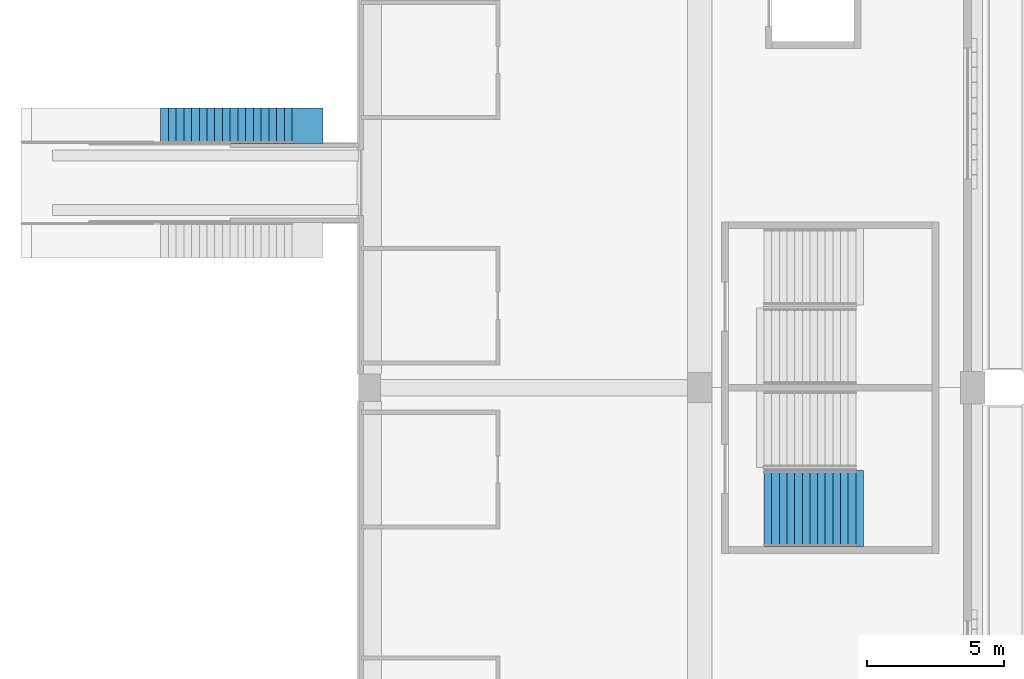
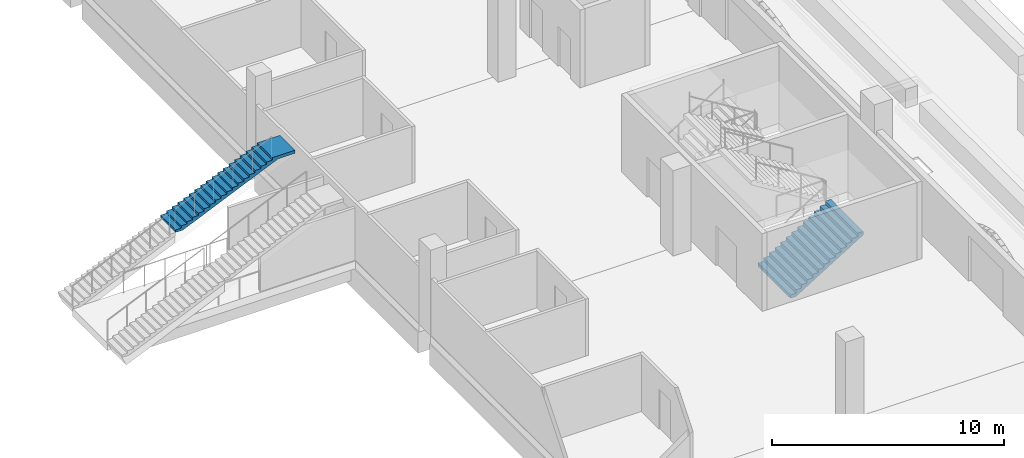
# One storey, part 99 of 175: 2 stair flights, 2 elements without a shape of their own.
"""IFC4 building model written with IfcOpenShell, lengths in metres."""

from ifc_helpers import new_model, si_unit, direction, frame, origin, place, context, subcontext, project, spatial, faceted_brep, material, type_object, element, aggregate, save


model = new_model("IFC4")

# Units and contexts
model_context = context("Model", 3, precision=1e-05, world=origin(), true_north=direction((0.0, 1.0)))
body_context = subcontext(model_context, "Body", "Model", "MODEL_VIEW")
ifc_project = project(units=[si_unit("LENGTHUNIT", "METRE"), si_unit("AREAUNIT", "SQUARE_METRE"), si_unit("VOLUMEUNIT", "CUBIC_METRE"), si_unit("PLANEANGLEUNIT", "RADIAN"), si_unit("MASSUNIT", "GRAM", prefix="KILO")], contexts=[model_context])

# Site, building, storey
site_placement = place(None, origin())
site = spatial("IfcSite", under=ifc_project, at=site_placement, CompositionType="ELEMENT")
building_placement = place(site_placement, origin())
building = spatial("IfcBuilding", under=site, at=building_placement, Name="Ogive Plaza Stadium", CompositionType="ELEMENT")
storey_placement = place(building_placement, origin())
storey = spatial("IfcBuildingStorey", under=building, at=storey_placement, Name="L00", CompositionType="ELEMENT", Elevation=0.0)

# Stair, stair flight
ifc_material_1 = material(Name="Concrete C40/50", Category="concrete")
stair_type_1 = type_object("IfcStairType", Name="Aisle stair", PredefinedType="STRAIGHT_RUN_STAIR", material=ifc_material_1)
stair_1_placement = place(storey_placement, origin())
stair_1 = element("IfcStair", 1, at=stair_1_placement, inside=storey, type_object=stair_type_1, Name="Aisle stair SA05R", PredefinedType="STRAIGHT_RUN_STAIR")
ifc_material_2 = material(Name="Concrete C40/50", Category="concrete")
stair_flight_type_1 = type_object("IfcStairFlightType", Name="Aisle stair flight", PredefinedType="STRAIGHT", material=ifc_material_2)
stair_flight_1_placement = place(storey_placement, frame((54.25, -12.89990234375, 2.25), z_axis=(0.0, 0.0, 1.0), x_axis=(1.0, 0.0, 0.0)))
stair_flight_1 = element("IfcStairFlight", 2, at=stair_flight_1_placement, type_object=stair_flight_type_1, Name="SA05R flight 2", NumberOfRisers=18, NumberOfTreads=17, PredefinedType="STRAIGHT", RiserHeight=0.125, TreadLength=0.283333333, context=body_context, shape_type="Brep", body=[
    faceted_brep([(0.371337890625, -0.64990234375, 0.0), (5.10009765625, -0.64990234375, 2.086181640625), (5.949951171875, -0.64990234375, 2.086181640625), (5.949951171875, -0.64990234375, 2.25), (4.816650390625, -0.64990234375, 2.25), (4.816650390625, -0.64990234375, 2.125), (4.533447265625, -0.64990234375, 2.125), (4.533447265625, -0.64990234375, 2.0), (4.25, -0.64990234375, 2.0), (4.25, -0.64990234375, 1.875), (3.966552734375, -0.64990234375, 1.875), (3.966552734375, -0.64990234375, 1.75), (3.683349609375, -0.64990234375, 1.75), (3.683349609375, -0.64990234375, 1.625), (3.39990234375, -0.64990234375, 1.625), (3.39990234375, -0.64990234375, 1.5), (3.11669921875, -0.64990234375, 1.5), (3.11669921875, -0.64990234375, 1.375), (2.833251953125, -0.64990234375, 1.375), (2.833251953125, -0.64990234375, 1.25), (2.550048828125, -0.64990234375, 1.25), (2.550048828125, -0.64990234375, 1.125), (2.2666015625, -0.64990234375, 1.125), (2.2666015625, -0.64990234375, 1.0), (1.9833984375, -0.64990234375, 1.0), (1.9833984375, -0.64990234375, 0.875), (1.699951171875, -0.64990234375, 0.875), (1.699951171875, -0.64990234375, 0.75), (1.416748046875, -0.64990234375, 0.75), (1.416748046875, -0.64990234375, 0.625), (1.13330078125, -0.64990234375, 0.625), (1.13330078125, -0.64990234375, 0.5), (0.85009765625, -0.64990234375, 0.5), (0.85009765625, -0.64990234375, 0.375), (0.566650390625, -0.64990234375, 0.375), (0.566650390625, -0.64990234375, 0.25), (0.283447265625, -0.64990234375, 0.25), (0.283447265625, -0.64990234375, 0.125), (0.0, -0.64990234375, 0.125), (0.0, -0.64990234375, 0.0), (0.0, 0.64990234375, 0.0), (0.0, 0.64990234375, 0.125), (0.283447265625, 0.64990234375, 0.125), (0.283447265625, 0.64990234375, 0.25), (0.566650390625, 0.64990234375, 0.25), (0.566650390625, 0.64990234375, 0.375), (0.85009765625, 0.64990234375, 0.375), (0.85009765625, 0.64990234375, 0.5), (1.13330078125, 0.64990234375, 0.5), (1.13330078125, 0.64990234375, 0.625), (1.416748046875, 0.64990234375, 0.625), (1.416748046875, 0.64990234375, 0.75), (1.699951171875, 0.64990234375, 0.75), (1.699951171875, 0.64990234375, 0.875), (1.9833984375, 0.64990234375, 0.875), (1.9833984375, 0.64990234375, 1.0), (2.2666015625, 0.64990234375, 1.0), (2.2666015625, 0.64990234375, 1.125), (2.550048828125, 0.64990234375, 1.125), (2.550048828125, 0.64990234375, 1.25), (2.833251953125, 0.64990234375, 1.25), (2.833251953125, 0.64990234375, 1.375), (3.11669921875, 0.64990234375, 1.375), (3.11669921875, 0.64990234375, 1.5), (3.39990234375, 0.64990234375, 1.5), (3.39990234375, 0.64990234375, 1.625), (3.683349609375, 0.64990234375, 1.625), (3.683349609375, 0.64990234375, 1.75), (3.966552734375, 0.64990234375, 1.75), (3.966552734375, 0.64990234375, 1.875), (4.25, 0.64990234375, 1.875), (4.25, 0.64990234375, 2.0), (4.533447265625, 0.64990234375, 2.0), (4.533447265625, 0.64990234375, 2.125), (4.816650390625, 0.64990234375, 2.125), (4.816650390625, 0.64990234375, 2.25), (5.949951171875, 0.64990234375, 2.25), (5.949951171875, 0.64990234375, 2.086181640625), (5.10009765625, 0.64990234375, 2.086181640625), (0.371337890625, 0.64990234375, 0.0), (0.371337890625, -0.324951171875, 0.0), (5.10009765625, -0.324951171875, 2.086181640625), (0.371337890625, 0.0, 0.0), (5.10009765625, 0.0, 2.086181640625), (0.371337890625, 0.324951171875, 0.0), (5.10009765625, 0.324951171875, 2.086181640625), (5.949951171875, -0.324951171875, 2.086181640625), (5.949951171875, 0.0, 2.086181640625), (5.949951171875, 0.324951171875, 2.086181640625), (5.949951171875, -0.324951171875, 2.25), (5.949951171875, 0.0, 2.25), (5.949951171875, 0.324951171875, 2.25), (4.816650390625, -0.324951171875, 2.25), (4.816650390625, 0.0, 2.25), (4.816650390625, 0.324951171875, 2.25), (4.816650390625, -0.324951171875, 2.125), (4.816650390625, 0.0, 2.125), (4.816650390625, 0.324951171875, 2.125), (4.533447265625, -0.324951171875, 2.125), (4.533447265625, 0.0, 2.125), (4.533447265625, 0.324951171875, 2.125), (4.533447265625, -0.324951171875, 2.0), (4.533447265625, 0.0, 2.0), (4.533447265625, 0.324951171875, 2.0), (4.25, -0.324951171875, 2.0), (4.25, 0.0, 2.0), (4.25, 0.324951171875, 2.0), (4.25, -0.324951171875, 1.875), (4.25, 0.0, 1.875), (4.25, 0.324951171875, 1.875), (3.966552734375, -0.324951171875, 1.875), (3.966552734375, 0.0, 1.875), (3.966552734375, 0.324951171875, 1.875), (3.966552734375, -0.324951171875, 1.75), (3.966552734375, 0.0, 1.75), (3.966552734375, 0.324951171875, 1.75), (3.683349609375, -0.324951171875, 1.75), (3.683349609375, 0.0, 1.75), (3.683349609375, 0.324951171875, 1.75), (3.683349609375, -0.324951171875, 1.625), (3.683349609375, 0.0, 1.625), (3.683349609375, 0.324951171875, 1.625), (3.39990234375, -0.324951171875, 1.625), (3.39990234375, 0.0, 1.625), (3.39990234375, 0.324951171875, 1.625), (3.39990234375, -0.324951171875, 1.5), (3.39990234375, 0.0, 1.5), (3.39990234375, 0.324951171875, 1.5), (3.11669921875, -0.324951171875, 1.5), (3.11669921875, 0.0, 1.5), (3.11669921875, 0.324951171875, 1.5), (3.11669921875, -0.324951171875, 1.375), (3.11669921875, 0.0, 1.375), (3.11669921875, 0.324951171875, 1.375), (2.833251953125, -0.324951171875, 1.375), (2.833251953125, 0.0, 1.375), (2.833251953125, 0.324951171875, 1.375), (2.833251953125, -0.324951171875, 1.25), (2.833251953125, 0.0, 1.25), (2.833251953125, 0.324951171875, 1.25), (2.550048828125, -0.324951171875, 1.25), (2.550048828125, 0.0, 1.25), (2.550048828125, 0.324951171875, 1.25), (2.550048828125, -0.324951171875, 1.125), (2.550048828125, 0.0, 1.125), (2.550048828125, 0.324951171875, 1.125), (2.2666015625, -0.324951171875, 1.125), (2.2666015625, 0.0, 1.125), (2.2666015625, 0.324951171875, 1.125), (2.2666015625, -0.324951171875, 1.0), (2.2666015625, 0.0, 1.0), (2.2666015625, 0.324951171875, 1.0), (1.9833984375, -0.324951171875, 1.0), (1.9833984375, 0.0, 1.0), (1.9833984375, 0.324951171875, 1.0), (1.9833984375, -0.324951171875, 0.875), (1.9833984375, 0.0, 0.875), (1.9833984375, 0.324951171875, 0.875), (1.699951171875, -0.324951171875, 0.875), (1.699951171875, 0.0, 0.875), (1.699951171875, 0.324951171875, 0.875), (1.699951171875, -0.324951171875, 0.75), (1.699951171875, 0.0, 0.75), (1.699951171875, 0.324951171875, 0.75), (1.416748046875, -0.324951171875, 0.75), (1.416748046875, 0.0, 0.75), (1.416748046875, 0.324951171875, 0.75), (1.416748046875, -0.324951171875, 0.625), (1.416748046875, 0.0, 0.625), (1.416748046875, 0.324951171875, 0.625), (1.13330078125, -0.324951171875, 0.625), (1.13330078125, 0.0, 0.625), (1.13330078125, 0.324951171875, 0.625), (1.13330078125, -0.324951171875, 0.5), (1.13330078125, 0.0, 0.5), (1.13330078125, 0.324951171875, 0.5), (0.85009765625, -0.324951171875, 0.5), (0.85009765625, 0.0, 0.5), (0.85009765625, 0.324951171875, 0.5), (0.85009765625, -0.324951171875, 0.375), (0.85009765625, 0.0, 0.375), (0.85009765625, 0.324951171875, 0.375), (0.566650390625, -0.324951171875, 0.375), (0.566650390625, 0.0, 0.375), (0.566650390625, 0.324951171875, 0.375), (0.566650390625, -0.324951171875, 0.25), (0.566650390625, 0.0, 0.25), (0.566650390625, 0.324951171875, 0.25), (0.283447265625, -0.324951171875, 0.25), (0.283447265625, 0.0, 0.25), (0.283447265625, 0.324951171875, 0.25), (0.283447265625, -0.324951171875, 0.125), (0.283447265625, 0.0, 0.125), (0.283447265625, 0.324951171875, 0.125), (0.0, -0.324951171875, 0.125), (0.0, 0.0, 0.125), (0.0, 0.324951171875, 0.125), (0.0, -0.324951171875, 0.0), (0.0, 0.0, 0.0), (0.0, 0.324951171875, 0.0)], [[[0, 1, 2, 3, 4, 5, 6, 7, 8, 9, 10, 11, 12, 13, 14, 15, 16, 17, 18, 19, 20, 21, 22, 23, 24, 25, 26, 27, 28, 29, 30, 31, 32, 33, 34, 35, 36, 37, 38, 39]], [[40, 41, 42, 43, 44, 45, 46, 47, 48, 49, 50, 51, 52, 53, 54, 55, 56, 57, 58, 59, 60, 61, 62, 63, 64, 65, 66, 67, 68, 69, 70, 71, 72, 73, 74, 75, 76, 77, 78, 79]], [[0, 80, 81, 1]], [[80, 82, 83, 81]], [[82, 84, 85, 83]], [[84, 79, 78, 85]], [[1, 81, 86, 2]], [[81, 83, 87, 86]], [[83, 85, 88, 87]], [[85, 78, 77, 88]], [[2, 86, 89, 3]], [[86, 87, 90, 89]], [[87, 88, 91, 90]], [[88, 77, 76, 91]], [[3, 89, 92, 4]], [[89, 90, 93, 92]], [[90, 91, 94, 93]], [[91, 76, 75, 94]], [[4, 92, 95, 5]], [[92, 93, 96, 95]], [[93, 94, 97, 96]], [[94, 75, 74, 97]], [[5, 95, 98, 6]], [[95, 96, 99, 98]], [[96, 97, 100, 99]], [[97, 74, 73, 100]], [[6, 98, 101, 7]], [[98, 99, 102, 101]], [[99, 100, 103, 102]], [[100, 73, 72, 103]], [[7, 101, 104, 8]], [[101, 102, 105, 104]], [[102, 103, 106, 105]], [[103, 72, 71, 106]], [[8, 104, 107, 9]], [[104, 105, 108, 107]], [[105, 106, 109, 108]], [[106, 71, 70, 109]], [[9, 107, 110, 10]], [[107, 108, 111, 110]], [[108, 109, 112, 111]], [[109, 70, 69, 112]], [[10, 110, 113, 11]], [[110, 111, 114, 113]], [[111, 112, 115, 114]], [[112, 69, 68, 115]], [[11, 113, 116, 12]], [[113, 114, 117, 116]], [[114, 115, 118, 117]], [[115, 68, 67, 118]], [[12, 116, 119, 13]], [[116, 117, 120, 119]], [[117, 118, 121, 120]], [[118, 67, 66, 121]], [[13, 119, 122, 14]], [[119, 120, 123, 122]], [[120, 121, 124, 123]], [[121, 66, 65, 124]], [[14, 122, 125, 15]], [[122, 123, 126, 125]], [[123, 124, 127, 126]], [[124, 65, 64, 127]], [[15, 125, 128, 16]], [[125, 126, 129, 128]], [[126, 127, 130, 129]], [[127, 64, 63, 130]], [[16, 128, 131, 17]], [[128, 129, 132, 131]], [[129, 130, 133, 132]], [[130, 63, 62, 133]], [[17, 131, 134, 18]], [[131, 132, 135, 134]], [[132, 133, 136, 135]], [[133, 62, 61, 136]], [[18, 134, 137, 19]], [[134, 135, 138, 137]], [[135, 136, 139, 138]], [[136, 61, 60, 139]], [[19, 137, 140, 20]], [[137, 138, 141, 140]], [[138, 139, 142, 141]], [[139, 60, 59, 142]], [[20, 140, 143, 21]], [[140, 141, 144, 143]], [[141, 142, 145, 144]], [[142, 59, 58, 145]], [[21, 143, 146, 22]], [[143, 144, 147, 146]], [[144, 145, 148, 147]], [[145, 58, 57, 148]], [[22, 146, 149, 23]], [[146, 147, 150, 149]], [[147, 148, 151, 150]], [[148, 57, 56, 151]], [[23, 149, 152, 24]], [[149, 150, 153, 152]], [[150, 151, 154, 153]], [[151, 56, 55, 154]], [[24, 152, 155, 25]], [[152, 153, 156, 155]], [[153, 154, 157, 156]], [[154, 55, 54, 157]], [[25, 155, 158, 26]], [[155, 156, 159, 158]], [[156, 157, 160, 159]], [[157, 54, 53, 160]], [[26, 158, 161, 27]], [[158, 159, 162, 161]], [[159, 160, 163, 162]], [[160, 53, 52, 163]], [[27, 161, 164, 28]], [[161, 162, 165, 164]], [[162, 163, 166, 165]], [[163, 52, 51, 166]], [[28, 164, 167, 29]], [[164, 165, 168, 167]], [[165, 166, 169, 168]], [[166, 51, 50, 169]], [[29, 167, 170, 30]], [[167, 168, 171, 170]], [[168, 169, 172, 171]], [[169, 50, 49, 172]], [[30, 170, 173, 31]], [[170, 171, 174, 173]], [[171, 172, 175, 174]], [[172, 49, 48, 175]], [[31, 173, 176, 32]], [[173, 174, 177, 176]], [[174, 175, 178, 177]], [[175, 48, 47, 178]], [[32, 176, 179, 33]], [[176, 177, 180, 179]], [[177, 178, 181, 180]], [[178, 47, 46, 181]], [[33, 179, 182, 34]], [[179, 180, 183, 182]], [[180, 181, 184, 183]], [[181, 46, 45, 184]], [[34, 182, 185, 35]], [[182, 183, 186, 185]], [[183, 184, 187, 186]], [[184, 45, 44, 187]], [[35, 185, 188, 36]], [[185, 186, 189, 188]], [[186, 187, 190, 189]], [[187, 44, 43, 190]], [[36, 188, 191, 37]], [[188, 189, 192, 191]], [[189, 190, 193, 192]], [[190, 43, 42, 193]], [[37, 191, 194, 38]], [[191, 192, 195, 194]], [[192, 193, 196, 195]], [[193, 42, 41, 196]], [[38, 194, 197, 39]], [[194, 195, 198, 197]], [[195, 196, 199, 198]], [[196, 41, 40, 199]], [[39, 197, 80, 0]], [[197, 198, 82, 80]], [[198, 199, 84, 82]], [[199, 40, 79, 84]]]),
])
aggregate(stair_1, [stair_flight_1])

ifc_material_3 = material(Name="Concrete C40/50", Category="concrete")
stair_type_2 = type_object("IfcStairType", Name="Exit stair", PredefinedType="STRAIGHT_RUN_STAIR", material=ifc_material_3)
stair_2_placement = place(storey_placement, origin())
stair_2 = element("IfcStair", 3, at=stair_2_placement, inside=storey, type_object=stair_type_2, Name="Exit stair ST06A L00 to L01", PredefinedType="STRAIGHT_RUN_STAIR")
ifc_material_4 = material(Name="Concrete C40/50", Category="concrete")
stair_flight_type_2 = type_object("IfcStairFlightType", Name="Exit stair flight", PredefinedType="STRAIGHT", material=ifc_material_4)
stair_flight_2_placement = place(storey_placement, frame((76.35009765625, -26.925048828125, 0.0), z_axis=(0.0, 0.0, 1.0), x_axis=(1.0, 0.0, 0.0)))
stair_flight_2 = element("IfcStairFlight", 4, at=stair_flight_2_placement, type_object=stair_flight_type_2, Name="ST06A flight 1", NumberOfRisers=13, NumberOfTreads=12, PredefinedType="STRAIGHT", RiserHeight=0.173076923, TreadLength=0.28, context=body_context, shape_type="Brep", body=[
    faceted_brep([(0.28515625, -1.39990234375, 0.0), (3.639892578125, -1.39990234375, 2.07373046875), (3.639892578125, -1.39990234375, 2.25), (3.360107421875, -1.39990234375, 2.25), (3.360107421875, -1.39990234375, 2.076904296875), (3.080078125, -1.39990234375, 2.076904296875), (3.080078125, -1.39990234375, 1.90380859375), (2.800048828125, -1.39990234375, 1.90380859375), (2.800048828125, -1.39990234375, 1.730712890625), (2.52001953125, -1.39990234375, 1.730712890625), (2.52001953125, -1.39990234375, 1.5576171875), (2.239990234375, -1.39990234375, 1.5576171875), (2.239990234375, -1.39990234375, 1.384521484375), (1.9599609375, -1.39990234375, 1.384521484375), (1.9599609375, -1.39990234375, 1.21142578125), (1.679931640625, -1.39990234375, 1.21142578125), (1.679931640625, -1.39990234375, 1.03857421875), (1.39990234375, -1.39990234375, 1.03857421875), (1.39990234375, -1.39990234375, 0.865478515625), (1.1201171875, -1.39990234375, 0.865478515625), (1.1201171875, -1.39990234375, 0.6923828125), (0.840087890625, -1.39990234375, 0.6923828125), (0.840087890625, -1.39990234375, 0.519287109375), (0.56005859375, -1.39990234375, 0.519287109375), (0.56005859375, -1.39990234375, 0.34619140625), (0.280029296875, -1.39990234375, 0.34619140625), (0.280029296875, -1.39990234375, 0.173095703125), (0.0, -1.39990234375, 0.173095703125), (0.0, -1.39990234375, 0.0), (0.0, 1.39990234375, 0.0), (0.0, 1.39990234375, 0.173095703125), (0.280029296875, 1.39990234375, 0.173095703125), (0.280029296875, 1.39990234375, 0.34619140625), (0.56005859375, 1.39990234375, 0.34619140625), (0.56005859375, 1.39990234375, 0.519287109375), (0.840087890625, 1.39990234375, 0.519287109375), (0.840087890625, 1.39990234375, 0.6923828125), (1.1201171875, 1.39990234375, 0.6923828125), (1.1201171875, 1.39990234375, 0.865478515625), (1.39990234375, 1.39990234375, 0.865478515625), (1.39990234375, 1.39990234375, 1.03857421875), (1.679931640625, 1.39990234375, 1.03857421875), (1.679931640625, 1.39990234375, 1.21142578125), (1.9599609375, 1.39990234375, 1.21142578125), (1.9599609375, 1.39990234375, 1.384521484375), (2.239990234375, 1.39990234375, 1.384521484375), (2.239990234375, 1.39990234375, 1.5576171875), (2.52001953125, 1.39990234375, 1.5576171875), (2.52001953125, 1.39990234375, 1.730712890625), (2.800048828125, 1.39990234375, 1.730712890625), (2.800048828125, 1.39990234375, 1.90380859375), (3.080078125, 1.39990234375, 1.90380859375), (3.080078125, 1.39990234375, 2.076904296875), (3.360107421875, 1.39990234375, 2.076904296875), (3.360107421875, 1.39990234375, 2.25), (3.639892578125, 1.39990234375, 2.25), (3.639892578125, 1.39990234375, 2.07373046875), (0.28515625, 1.39990234375, 0.0), (0.28515625, -1.0888671875, 0.0), (3.639892578125, -1.0888671875, 2.07373046875), (0.28515625, -0.77783203125, 0.0), (3.639892578125, -0.77783203125, 2.07373046875), (0.28515625, -0.466796875, 0.0), (3.639892578125, -0.466796875, 2.07373046875), (0.28515625, -0.155517578125, 0.0), (3.639892578125, -0.155517578125, 2.07373046875), (0.28515625, 0.155517578125, 0.0), (3.639892578125, 0.155517578125, 2.07373046875), (0.28515625, 0.466796875, 0.0), (3.639892578125, 0.466796875, 2.07373046875), (0.28515625, 0.77783203125, 0.0), (3.639892578125, 0.77783203125, 2.07373046875), (0.28515625, 1.0888671875, 0.0), (3.639892578125, 1.0888671875, 2.07373046875), (3.639892578125, -1.0888671875, 2.25), (3.639892578125, -0.77783203125, 2.25), (3.639892578125, -0.466796875, 2.25), (3.639892578125, -0.155517578125, 2.25), (3.639892578125, 0.155517578125, 2.25), (3.639892578125, 0.466796875, 2.25), (3.639892578125, 0.77783203125, 2.25), (3.639892578125, 1.0888671875, 2.25), (3.360107421875, -1.0888671875, 2.25), (3.360107421875, -0.77783203125, 2.25), (3.360107421875, -0.466796875, 2.25), (3.360107421875, -0.155517578125, 2.25), (3.360107421875, 0.155517578125, 2.25), (3.360107421875, 0.466796875, 2.25), (3.360107421875, 0.77783203125, 2.25), (3.360107421875, 1.0888671875, 2.25), (3.360107421875, -1.0888671875, 2.076904296875), (3.360107421875, -0.77783203125, 2.076904296875), (3.360107421875, -0.466796875, 2.076904296875), (3.360107421875, -0.155517578125, 2.076904296875), (3.360107421875, 0.155517578125, 2.076904296875), (3.360107421875, 0.466796875, 2.076904296875), (3.360107421875, 0.77783203125, 2.076904296875), (3.360107421875, 1.0888671875, 2.076904296875), (3.080078125, -1.0888671875, 2.076904296875), (3.080078125, -0.77783203125, 2.076904296875), (3.080078125, -0.466796875, 2.076904296875), (3.080078125, -0.155517578125, 2.076904296875), (3.080078125, 0.155517578125, 2.076904296875), (3.080078125, 0.466796875, 2.076904296875), (3.080078125, 0.77783203125, 2.076904296875), (3.080078125, 1.0888671875, 2.076904296875), (3.080078125, -1.0888671875, 1.90380859375), (3.080078125, -0.77783203125, 1.90380859375), (3.080078125, -0.466796875, 1.90380859375), (3.080078125, -0.155517578125, 1.90380859375), (3.080078125, 0.155517578125, 1.90380859375), (3.080078125, 0.466796875, 1.90380859375), (3.080078125, 0.77783203125, 1.90380859375), (3.080078125, 1.0888671875, 1.90380859375), (2.800048828125, -1.0888671875, 1.90380859375), (2.800048828125, -0.77783203125, 1.90380859375), (2.800048828125, -0.466796875, 1.90380859375), (2.800048828125, -0.155517578125, 1.90380859375), (2.800048828125, 0.155517578125, 1.90380859375), (2.800048828125, 0.466796875, 1.90380859375), (2.800048828125, 0.77783203125, 1.90380859375), (2.800048828125, 1.0888671875, 1.90380859375), (2.800048828125, -1.0888671875, 1.730712890625), (2.800048828125, -0.77783203125, 1.730712890625), (2.800048828125, -0.466796875, 1.730712890625), (2.800048828125, -0.155517578125, 1.730712890625), (2.800048828125, 0.155517578125, 1.730712890625), (2.800048828125, 0.466796875, 1.730712890625), (2.800048828125, 0.77783203125, 1.730712890625), (2.800048828125, 1.0888671875, 1.730712890625), (2.52001953125, -1.0888671875, 1.730712890625), (2.52001953125, -0.77783203125, 1.730712890625), (2.52001953125, -0.466796875, 1.730712890625), (2.52001953125, -0.155517578125, 1.730712890625), (2.52001953125, 0.155517578125, 1.730712890625), (2.52001953125, 0.466796875, 1.730712890625), (2.52001953125, 0.77783203125, 1.730712890625), (2.52001953125, 1.0888671875, 1.730712890625), (2.52001953125, -1.0888671875, 1.5576171875), (2.52001953125, -0.77783203125, 1.5576171875), (2.52001953125, -0.466796875, 1.5576171875), (2.52001953125, -0.155517578125, 1.5576171875), (2.52001953125, 0.155517578125, 1.5576171875), (2.52001953125, 0.466796875, 1.5576171875), (2.52001953125, 0.77783203125, 1.5576171875), (2.52001953125, 1.0888671875, 1.5576171875), (2.239990234375, -1.0888671875, 1.5576171875), (2.239990234375, -0.77783203125, 1.5576171875), (2.239990234375, -0.466796875, 1.5576171875), (2.239990234375, -0.155517578125, 1.5576171875), (2.239990234375, 0.155517578125, 1.5576171875), (2.239990234375, 0.466796875, 1.5576171875), (2.239990234375, 0.77783203125, 1.5576171875), (2.239990234375, 1.0888671875, 1.5576171875), (2.239990234375, -1.0888671875, 1.384521484375), (2.239990234375, -0.77783203125, 1.384521484375), (2.239990234375, -0.466796875, 1.384521484375), (2.239990234375, -0.155517578125, 1.384521484375), (2.239990234375, 0.155517578125, 1.384521484375), (2.239990234375, 0.466796875, 1.384521484375), (2.239990234375, 0.77783203125, 1.384521484375), (2.239990234375, 1.0888671875, 1.384521484375), (1.9599609375, -1.0888671875, 1.384521484375), (1.9599609375, -0.77783203125, 1.384521484375), (1.9599609375, -0.466796875, 1.384521484375), (1.9599609375, -0.155517578125, 1.384521484375), (1.9599609375, 0.155517578125, 1.384521484375), (1.9599609375, 0.466796875, 1.384521484375), (1.9599609375, 0.77783203125, 1.384521484375), (1.9599609375, 1.0888671875, 1.384521484375), (1.9599609375, -1.0888671875, 1.21142578125), (1.9599609375, -0.77783203125, 1.21142578125), (1.9599609375, -0.466796875, 1.21142578125), (1.9599609375, -0.155517578125, 1.21142578125), (1.9599609375, 0.155517578125, 1.21142578125), (1.9599609375, 0.466796875, 1.21142578125), (1.9599609375, 0.77783203125, 1.21142578125), (1.9599609375, 1.0888671875, 1.21142578125), (1.679931640625, -1.0888671875, 1.21142578125), (1.679931640625, -0.77783203125, 1.21142578125), (1.679931640625, -0.466796875, 1.21142578125), (1.679931640625, -0.155517578125, 1.21142578125), (1.679931640625, 0.155517578125, 1.21142578125), (1.679931640625, 0.466796875, 1.21142578125), (1.679931640625, 0.77783203125, 1.21142578125), (1.679931640625, 1.0888671875, 1.21142578125), (1.679931640625, -1.0888671875, 1.03857421875), (1.679931640625, -0.77783203125, 1.03857421875), (1.679931640625, -0.466796875, 1.03857421875), (1.679931640625, -0.155517578125, 1.03857421875), (1.679931640625, 0.155517578125, 1.03857421875), (1.679931640625, 0.466796875, 1.03857421875), (1.679931640625, 0.77783203125, 1.03857421875), (1.679931640625, 1.0888671875, 1.03857421875), (1.39990234375, -1.0888671875, 1.03857421875), (1.39990234375, -0.77783203125, 1.03857421875), (1.39990234375, -0.466796875, 1.03857421875), (1.39990234375, -0.155517578125, 1.03857421875), (1.39990234375, 0.155517578125, 1.03857421875), (1.39990234375, 0.466796875, 1.03857421875), (1.39990234375, 0.77783203125, 1.03857421875), (1.39990234375, 1.0888671875, 1.03857421875), (1.39990234375, -1.0888671875, 0.865478515625), (1.39990234375, -0.77783203125, 0.865478515625), (1.39990234375, -0.466796875, 0.865478515625), (1.39990234375, -0.155517578125, 0.865478515625), (1.39990234375, 0.155517578125, 0.865478515625), (1.39990234375, 0.466796875, 0.865478515625), (1.39990234375, 0.77783203125, 0.865478515625), (1.39990234375, 1.0888671875, 0.865478515625), (1.1201171875, -1.0888671875, 0.865478515625), (1.1201171875, -0.77783203125, 0.865478515625), (1.1201171875, -0.466796875, 0.865478515625), (1.1201171875, -0.155517578125, 0.865478515625), (1.1201171875, 0.155517578125, 0.865478515625), (1.1201171875, 0.466796875, 0.865478515625), (1.1201171875, 0.77783203125, 0.865478515625), (1.1201171875, 1.0888671875, 0.865478515625), (1.1201171875, -1.0888671875, 0.6923828125), (1.1201171875, -0.77783203125, 0.6923828125), (1.1201171875, -0.466796875, 0.6923828125), (1.1201171875, -0.155517578125, 0.6923828125), (1.1201171875, 0.155517578125, 0.6923828125), (1.1201171875, 0.466796875, 0.6923828125), (1.1201171875, 0.77783203125, 0.6923828125), (1.1201171875, 1.0888671875, 0.6923828125), (0.840087890625, -1.0888671875, 0.6923828125), (0.840087890625, -0.77783203125, 0.6923828125), (0.840087890625, -0.466796875, 0.6923828125), (0.840087890625, -0.155517578125, 0.6923828125), (0.840087890625, 0.155517578125, 0.6923828125), (0.840087890625, 0.466796875, 0.6923828125), (0.840087890625, 0.77783203125, 0.6923828125), (0.840087890625, 1.0888671875, 0.6923828125), (0.840087890625, -1.0888671875, 0.519287109375), (0.840087890625, -0.77783203125, 0.519287109375), (0.840087890625, -0.466796875, 0.519287109375), (0.840087890625, -0.155517578125, 0.519287109375), (0.840087890625, 0.155517578125, 0.519287109375), (0.840087890625, 0.466796875, 0.519287109375), (0.840087890625, 0.77783203125, 0.519287109375), (0.840087890625, 1.0888671875, 0.519287109375), (0.56005859375, -1.0888671875, 0.519287109375), (0.56005859375, -0.77783203125, 0.519287109375), (0.56005859375, -0.466796875, 0.519287109375), (0.56005859375, -0.155517578125, 0.519287109375), (0.56005859375, 0.155517578125, 0.519287109375), (0.56005859375, 0.466796875, 0.519287109375), (0.56005859375, 0.77783203125, 0.519287109375), (0.56005859375, 1.0888671875, 0.519287109375), (0.56005859375, -1.0888671875, 0.34619140625), (0.56005859375, -0.77783203125, 0.34619140625), (0.56005859375, -0.466796875, 0.34619140625), (0.56005859375, -0.155517578125, 0.34619140625), (0.56005859375, 0.155517578125, 0.34619140625), (0.56005859375, 0.466796875, 0.34619140625), (0.56005859375, 0.77783203125, 0.34619140625), (0.56005859375, 1.0888671875, 0.34619140625), (0.280029296875, -1.0888671875, 0.34619140625), (0.280029296875, -0.77783203125, 0.34619140625), (0.280029296875, -0.466796875, 0.34619140625), (0.280029296875, -0.155517578125, 0.34619140625), (0.280029296875, 0.155517578125, 0.34619140625), (0.280029296875, 0.466796875, 0.34619140625), (0.280029296875, 0.77783203125, 0.34619140625), (0.280029296875, 1.0888671875, 0.34619140625), (0.280029296875, -1.0888671875, 0.173095703125), (0.280029296875, -0.77783203125, 0.173095703125), (0.280029296875, -0.466796875, 0.173095703125), (0.280029296875, -0.155517578125, 0.173095703125), (0.280029296875, 0.155517578125, 0.173095703125), (0.280029296875, 0.466796875, 0.173095703125), (0.280029296875, 0.77783203125, 0.173095703125), (0.280029296875, 1.0888671875, 0.173095703125), (0.0, -1.0888671875, 0.173095703125), (0.0, -0.77783203125, 0.173095703125), (0.0, -0.466796875, 0.173095703125), (0.0, -0.155517578125, 0.173095703125), (0.0, 0.155517578125, 0.173095703125), (0.0, 0.466796875, 0.173095703125), (0.0, 0.77783203125, 0.173095703125), (0.0, 1.0888671875, 0.173095703125), (0.0, -1.0888671875, 0.0), (0.0, -0.77783203125, 0.0), (0.0, -0.466796875, 0.0), (0.0, -0.155517578125, 0.0), (0.0, 0.155517578125, 0.0), (0.0, 0.466796875, 0.0), (0.0, 0.77783203125, 0.0), (0.0, 1.0888671875, 0.0)], [[[0, 1, 2, 3, 4, 5, 6, 7, 8, 9, 10, 11, 12, 13, 14, 15, 16, 17, 18, 19, 20, 21, 22, 23, 24, 25, 26, 27, 28]], [[29, 30, 31, 32, 33, 34, 35, 36, 37, 38, 39, 40, 41, 42, 43, 44, 45, 46, 47, 48, 49, 50, 51, 52, 53, 54, 55, 56, 57]], [[0, 58, 59, 1]], [[58, 60, 61, 59]], [[60, 62, 63, 61]], [[62, 64, 65, 63]], [[64, 66, 67, 65]], [[66, 68, 69, 67]], [[68, 70, 71, 69]], [[70, 72, 73, 71]], [[72, 57, 56, 73]], [[1, 59, 74, 2]], [[59, 61, 75, 74]], [[61, 63, 76, 75]], [[63, 65, 77, 76]], [[65, 67, 78, 77]], [[67, 69, 79, 78]], [[69, 71, 80, 79]], [[71, 73, 81, 80]], [[73, 56, 55, 81]], [[2, 74, 82, 3]], [[74, 75, 83, 82]], [[75, 76, 84, 83]], [[76, 77, 85, 84]], [[77, 78, 86, 85]], [[78, 79, 87, 86]], [[79, 80, 88, 87]], [[80, 81, 89, 88]], [[81, 55, 54, 89]], [[3, 82, 90, 4]], [[82, 83, 91, 90]], [[83, 84, 92, 91]], [[84, 85, 93, 92]], [[85, 86, 94, 93]], [[86, 87, 95, 94]], [[87, 88, 96, 95]], [[88, 89, 97, 96]], [[89, 54, 53, 97]], [[4, 90, 98, 5]], [[90, 91, 99, 98]], [[91, 92, 100, 99]], [[92, 93, 101, 100]], [[93, 94, 102, 101]], [[94, 95, 103, 102]], [[95, 96, 104, 103]], [[96, 97, 105, 104]], [[97, 53, 52, 105]], [[5, 98, 106, 6]], [[98, 99, 107, 106]], [[99, 100, 108, 107]], [[100, 101, 109, 108]], [[101, 102, 110, 109]], [[102, 103, 111, 110]], [[103, 104, 112, 111]], [[104, 105, 113, 112]], [[105, 52, 51, 113]], [[6, 106, 114, 7]], [[106, 107, 115, 114]], [[107, 108, 116, 115]], [[108, 109, 117, 116]], [[109, 110, 118, 117]], [[110, 111, 119, 118]], [[111, 112, 120, 119]], [[112, 113, 121, 120]], [[113, 51, 50, 121]], [[7, 114, 122, 8]], [[114, 115, 123, 122]], [[115, 116, 124, 123]], [[116, 117, 125, 124]], [[117, 118, 126, 125]], [[118, 119, 127, 126]], [[119, 120, 128, 127]], [[120, 121, 129, 128]], [[121, 50, 49, 129]], [[8, 122, 130, 9]], [[122, 123, 131, 130]], [[123, 124, 132, 131]], [[124, 125, 133, 132]], [[125, 126, 134, 133]], [[126, 127, 135, 134]], [[127, 128, 136, 135]], [[128, 129, 137, 136]], [[129, 49, 48, 137]], [[9, 130, 138, 10]], [[130, 131, 139, 138]], [[131, 132, 140, 139]], [[132, 133, 141, 140]], [[133, 134, 142, 141]], [[134, 135, 143, 142]], [[135, 136, 144, 143]], [[136, 137, 145, 144]], [[137, 48, 47, 145]], [[10, 138, 146, 11]], [[138, 139, 147, 146]], [[139, 140, 148, 147]], [[140, 141, 149, 148]], [[141, 142, 150, 149]], [[142, 143, 151, 150]], [[143, 144, 152, 151]], [[144, 145, 153, 152]], [[145, 47, 46, 153]], [[11, 146, 154, 12]], [[146, 147, 155, 154]], [[147, 148, 156, 155]], [[148, 149, 157, 156]], [[149, 150, 158, 157]], [[150, 151, 159, 158]], [[151, 152, 160, 159]], [[152, 153, 161, 160]], [[153, 46, 45, 161]], [[12, 154, 162, 13]], [[154, 155, 163, 162]], [[155, 156, 164, 163]], [[156, 157, 165, 164]], [[157, 158, 166, 165]], [[158, 159, 167, 166]], [[159, 160, 168, 167]], [[160, 161, 169, 168]], [[161, 45, 44, 169]], [[13, 162, 170, 14]], [[162, 163, 171, 170]], [[163, 164, 172, 171]], [[164, 165, 173, 172]], [[165, 166, 174, 173]], [[166, 167, 175, 174]], [[167, 168, 176, 175]], [[168, 169, 177, 176]], [[169, 44, 43, 177]], [[14, 170, 178, 15]], [[170, 171, 179, 178]], [[171, 172, 180, 179]], [[172, 173, 181, 180]], [[173, 174, 182, 181]], [[174, 175, 183, 182]], [[175, 176, 184, 183]], [[176, 177, 185, 184]], [[177, 43, 42, 185]], [[15, 178, 186, 16]], [[178, 179, 187, 186]], [[179, 180, 188, 187]], [[180, 181, 189, 188]], [[181, 182, 190, 189]], [[182, 183, 191, 190]], [[183, 184, 192, 191]], [[184, 185, 193, 192]], [[185, 42, 41, 193]], [[16, 186, 194, 17]], [[186, 187, 195, 194]], [[187, 188, 196, 195]], [[188, 189, 197, 196]], [[189, 190, 198, 197]], [[190, 191, 199, 198]], [[191, 192, 200, 199]], [[192, 193, 201, 200]], [[193, 41, 40, 201]], [[17, 194, 202, 18]], [[194, 195, 203, 202]], [[195, 196, 204, 203]], [[196, 197, 205, 204]], [[197, 198, 206, 205]], [[198, 199, 207, 206]], [[199, 200, 208, 207]], [[200, 201, 209, 208]], [[201, 40, 39, 209]], [[18, 202, 210, 19]], [[202, 203, 211, 210]], [[203, 204, 212, 211]], [[204, 205, 213, 212]], [[205, 206, 214, 213]], [[206, 207, 215, 214]], [[207, 208, 216, 215]], [[208, 209, 217, 216]], [[209, 39, 38, 217]], [[19, 210, 218, 20]], [[210, 211, 219, 218]], [[211, 212, 220, 219]], [[212, 213, 221, 220]], [[213, 214, 222, 221]], [[214, 215, 223, 222]], [[215, 216, 224, 223]], [[216, 217, 225, 224]], [[217, 38, 37, 225]], [[20, 218, 226, 21]], [[218, 219, 227, 226]], [[219, 220, 228, 227]], [[220, 221, 229, 228]], [[221, 222, 230, 229]], [[222, 223, 231, 230]], [[223, 224, 232, 231]], [[224, 225, 233, 232]], [[225, 37, 36, 233]], [[21, 226, 234, 22]], [[226, 227, 235, 234]], [[227, 228, 236, 235]], [[228, 229, 237, 236]], [[229, 230, 238, 237]], [[230, 231, 239, 238]], [[231, 232, 240, 239]], [[232, 233, 241, 240]], [[233, 36, 35, 241]], [[22, 234, 242, 23]], [[234, 235, 243, 242]], [[235, 236, 244, 243]], [[236, 237, 245, 244]], [[237, 238, 246, 245]], [[238, 239, 247, 246]], [[239, 240, 248, 247]], [[240, 241, 249, 248]], [[241, 35, 34, 249]], [[23, 242, 250, 24]], [[242, 243, 251, 250]], [[243, 244, 252, 251]], [[244, 245, 253, 252]], [[245, 246, 254, 253]], [[246, 247, 255, 254]], [[247, 248, 256, 255]], [[248, 249, 257, 256]], [[249, 34, 33, 257]], [[24, 250, 258, 25]], [[250, 251, 259, 258]], [[251, 252, 260, 259]], [[252, 253, 261, 260]], [[253, 254, 262, 261]], [[254, 255, 263, 262]], [[255, 256, 264, 263]], [[256, 257, 265, 264]], [[257, 33, 32, 265]], [[25, 258, 266, 26]], [[258, 259, 267, 266]], [[259, 260, 268, 267]], [[260, 261, 269, 268]], [[261, 262, 270, 269]], [[262, 263, 271, 270]], [[263, 264, 272, 271]], [[264, 265, 273, 272]], [[265, 32, 31, 273]], [[26, 266, 274, 27]], [[266, 267, 275, 274]], [[267, 268, 276, 275]], [[268, 269, 277, 276]], [[269, 270, 278, 277]], [[270, 271, 279, 278]], [[271, 272, 280, 279]], [[272, 273, 281, 280]], [[273, 31, 30, 281]], [[27, 274, 282, 28]], [[274, 275, 283, 282]], [[275, 276, 284, 283]], [[276, 277, 285, 284]], [[277, 278, 286, 285]], [[278, 279, 287, 286]], [[279, 280, 288, 287]], [[280, 281, 289, 288]], [[281, 30, 29, 289]], [[28, 282, 58, 0]], [[282, 283, 60, 58]], [[283, 284, 62, 60]], [[284, 285, 64, 62]], [[285, 286, 66, 64]], [[286, 287, 68, 66]], [[287, 288, 70, 68]], [[288, 289, 72, 70]], [[289, 29, 57, 72]]]),
])
aggregate(stair_2, [stair_flight_2])

save(model, "model.ifc")
